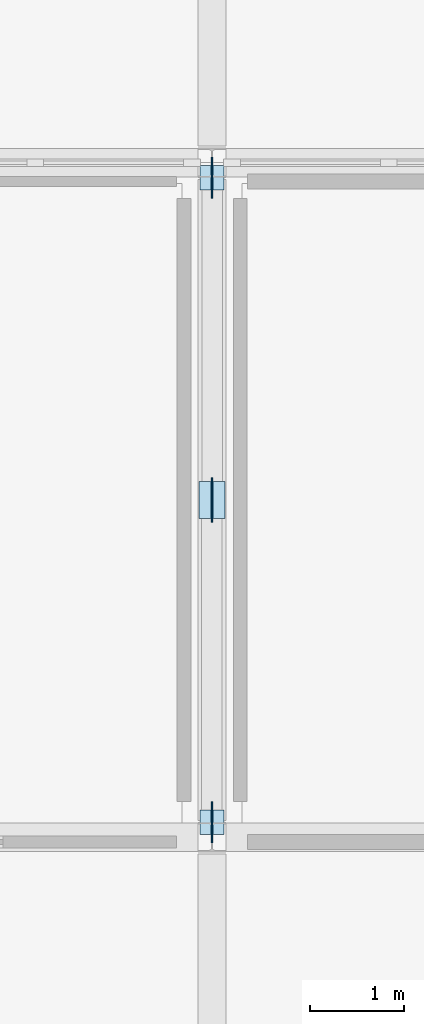
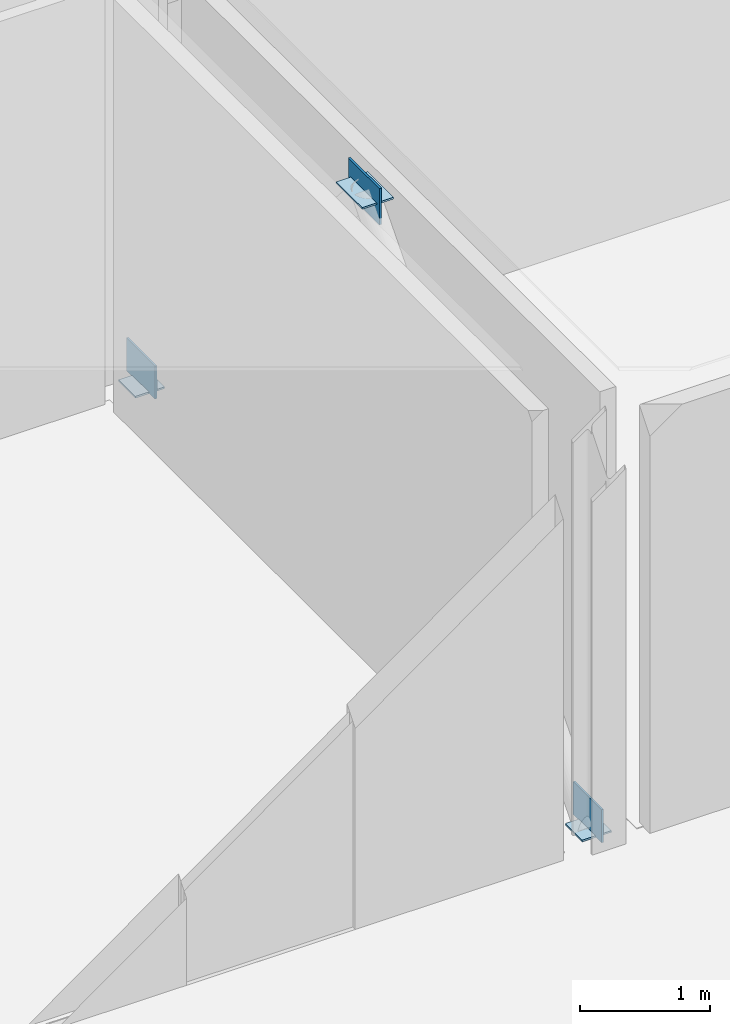
# One storey, part 32 of 53: 6 plates.
"""IFC4 building model written with IfcOpenShell, lengths in metres."""

from ifc_helpers import new_model, si_unit, direction, frame, origin, origin_2d, place, context, subcontext, project, spatial, rectangle, extrude, material, layer, layer_set, type_object, element, save


model = new_model("IFC4")

# Units and contexts
model_context = context("Model", 3, precision=1e-05, world=origin(), true_north=direction((0.0, 1.0)))
body_context = subcontext(model_context, "Body", "Model", "MODEL_VIEW")
ifc_project = project(units=[si_unit("LENGTHUNIT", "METRE"), si_unit("AREAUNIT", "SQUARE_METRE"), si_unit("VOLUMEUNIT", "CUBIC_METRE"), si_unit("PLANEANGLEUNIT", "RADIAN"), si_unit("MASSUNIT", "GRAM", prefix="KILO")], contexts=[model_context])

# Site, building, storey
site_placement = place(None, origin())
site = spatial("IfcSite", under=ifc_project, at=site_placement, CompositionType="ELEMENT")
building_placement = place(site_placement, origin())
building = spatial("IfcBuilding", under=site, at=building_placement, Name="Zarrinpeak Specialist Clinic", CompositionType="ELEMENT")
storey_placement = place(building_placement, frame((0.0, 0.0, 14.0)))
storey = spatial("IfcBuildingStorey", under=building, at=storey_placement, Name="L03", CompositionType="ELEMENT", Elevation=14.0)

# Plates
ifc_material = material(Name="Steel S355", Category="steel")
ifc_layer_1 = layer(ifc_material, 0.01611328125)
ifc_layer_set_1 = layer_set([ifc_layer_1], Name="Steel S355")
plate_type_1 = type_object("IfcPlateType", Name="PL-CAP219", PredefinedType="SHEET", material=ifc_layer_set_1)
for number, where, z_axis, x_axis, name in (
    (1, (72.0, 14.56005859375, 0.0009765625), (0.0, 0.0, 1.0), (1.0, 0.0, 0.0), "V4 L03 Hollow Brace Foot Cap Plate A"),
    (2, (72.0, 21.43994140625, 0.0009765625), (0.0, 0.0, 1.0), (1.0, 0.0, 0.0), "V4 L03 Hollow Brace Foot Cap Plate B"),
):
    element("IfcPlate", number, at=place(storey_placement, frame(where, z_axis=z_axis, x_axis=x_axis)), inside=storey, type_object=plate_type_1, Name=name, PredefinedType="SHEET", context=body_context, shape_type="SweptSolid", body=[
        extrude(rectangle(XDim=0.260009765625, YDim=0.260009765625, at=origin_2d()), origin(), (0.0, 0.0, 1.0), 0.01611328125),
    ])
ifc_layer_2 = layer(ifc_material, 0.02001953125)
ifc_layer_set_2 = layer_set([ifc_layer_2], Name="Steel S355")
plate_type_2 = type_object("IfcPlateType", Name="PL-GN01", PredefinedType="SHEET", material=ifc_layer_set_2)
plate_1_placement = place(storey_placement, frame((72.0, 18.0, 3.73974609375), z_axis=(0.0, 0.0, 1.0), x_axis=(1.0, 0.0, 0.0)))
element("IfcPlate", 3, at=plate_1_placement, inside=storey, type_object=plate_type_2, Name="V4 L03 Chevron Gusset Node Plate GN-V4-L03", PredefinedType="SHEET", context=body_context, shape_type="SweptSolid", body=[
    extrude(rectangle(XDim=0.02001953125, YDim=0.47998046875, at=origin_2d()), origin(), (0.0, 0.0, 1.0), 0.340087890625),
])
ifc_layer_3 = layer(ifc_material, 0.01611328125)
ifc_layer_set_3 = layer_set([ifc_layer_3], Name="Steel S355")
plate_type_3 = type_object("IfcPlateType", Name="PL-GN02", PredefinedType="SHEET", material=ifc_layer_set_3)
plate_2_placement = place(storey_placement, frame((72.0, 18.0, 3.907958984375), z_axis=(0.0, 0.0, 1.0), x_axis=(1.0, 0.0, 0.0)))
element("IfcPlate", 4, at=plate_2_placement, inside=storey, type_object=plate_type_3, Name="V4 L03 Chevron Apex Seal Plate GNCAP-V4-L03", PredefinedType="SHEET", context=body_context, shape_type="SweptSolid", body=[
    extrude(rectangle(XDim=0.280029296875, YDim=0.39990234375, at=origin_2d()), origin(), (0.0, 0.0, 1.0), 0.01611328125),
])
ifc_layer_4 = layer(ifc_material, 0.01806640625)
ifc_layer_set_4 = layer_set([ifc_layer_4], Name="Steel S355")
plate_type_4 = type_object("IfcPlateType", Name="PL-GN03", PredefinedType="SHEET", material=ifc_layer_set_4)
for number, where, z_axis, x_axis, name in (
    (5, (72.0, 14.56005859375, 0.0048828125), (0.0, 0.0, 1.0), (1.0, 0.0, 0.0), "V4 L03 Brace Foot Gusset Plate GNF-V4-L03-A"),
    (6, (72.0, 21.43994140625, 0.0048828125), (0.0, 0.0, 1.0), (1.0, 0.0, 0.0), "V4 L03 Brace Foot Gusset Plate GNF-V4-L03-B"),
):
    element("IfcPlate", number, at=place(storey_placement, frame(where, z_axis=z_axis, x_axis=x_axis)), inside=storey, type_object=plate_type_4, Name=name, PredefinedType="SHEET", context=body_context, shape_type="SweptSolid", body=[
        extrude(rectangle(XDim=0.01806640625, YDim=0.43994140625, at=origin_2d()), origin(), (0.0, 0.0, 1.0), 0.31005859375),
    ])

save(model, "model.ifc")
